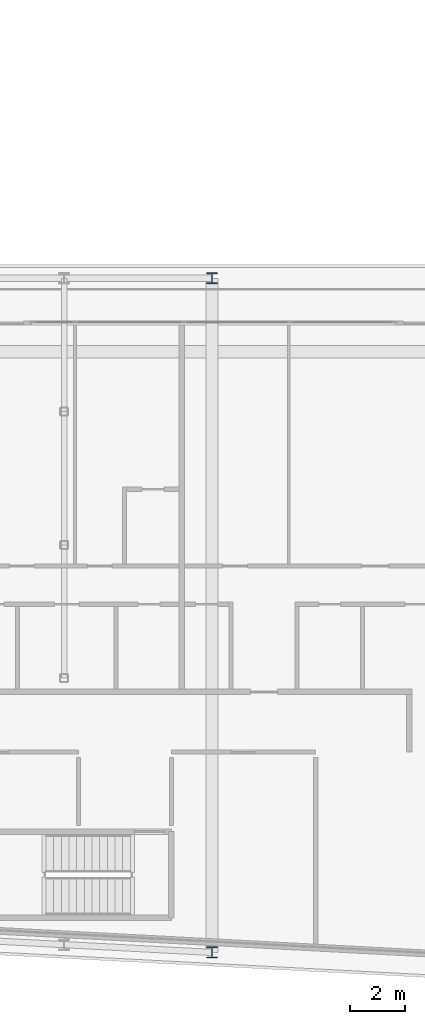
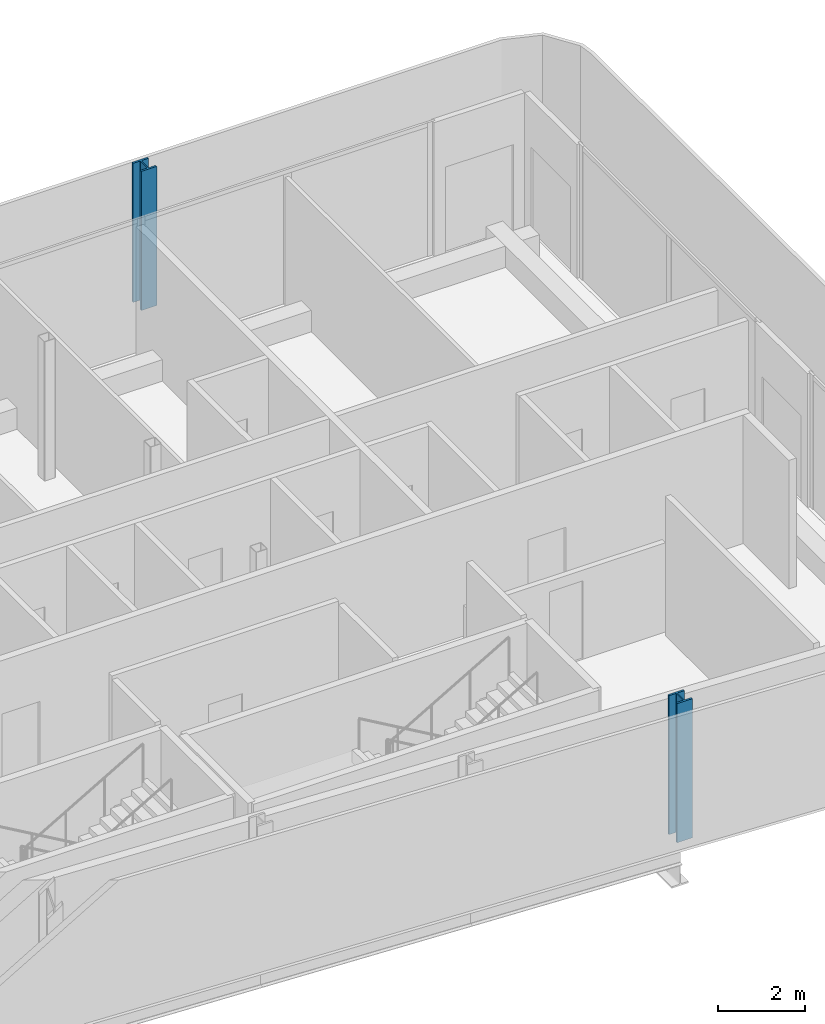
# One storey, part 4 of 29: 2 columns.
"""IFC4 building model written with IfcOpenShell, lengths in metres."""

from ifc_helpers import new_model, si_unit, direction, frame, origin, origin_2d, place, context, subcontext, project, spatial, i_section, extrude, material, material_profile, profile_set, type_object, element, save


model = new_model("IFC4")

# Units and contexts
model_context = context("Model", 3, precision=1e-05, world=origin(), true_north=direction((0.0, 1.0)))
body_context = subcontext(model_context, "Body", "Model", "MODEL_VIEW")
ifc_project = project(units=[si_unit("LENGTHUNIT", "METRE"), si_unit("AREAUNIT", "SQUARE_METRE"), si_unit("VOLUMEUNIT", "CUBIC_METRE"), si_unit("PLANEANGLEUNIT", "RADIAN"), si_unit("MASSUNIT", "GRAM", prefix="KILO")], contexts=[model_context])

# Site, building, storey
site_placement = place(None, origin())
site = spatial("IfcSite", under=ifc_project, at=site_placement, CompositionType="ELEMENT")
building_placement = place(site_placement, origin())
building = spatial("IfcBuilding", under=site, at=building_placement, Name="Kheshtan School and Residences Tower", CompositionType="ELEMENT")
storey_placement = place(building_placement, frame((0.0, 0.0, 176.0)))
storey = spatial("IfcBuildingStorey", under=building, at=storey_placement, Name="L41", CompositionType="ELEMENT", Elevation=176.0)

# Columns
ifc_material = material(Name="Steel ASTM A992 Grade 50", Category="steel")
ifc_material_profile = material_profile(ifc_material, i_section(OverallWidth=0.408935546875, OverallDepth=0.425048828125, WebThickness=0.03271484375, FlangeThickness=0.052490234375, FilletRadius=0.0126953125, at=origin_2d()), Name="W360x421")
ifc_profile_set = profile_set([ifc_material_profile], Name="Steel ASTM A992 Grade 50")
column_type = type_object("IfcColumnType", Name="Column C3 W360x421 ASTM A992 Grade 50", PredefinedType="COLUMN", material=ifc_profile_set)
for number, where, z_axis, x_axis, name in (
    (1, (90.800048828125, 20.989990234375, 0.0), (0.0, 0.0, 1.0), (1.0, 0.0, 0.0), "Column C006"),
    (2, (90.800048828125, 45.60009765625, 0.0), (0.0, 0.0, 1.0), (1.0, 0.0, 0.0), "Column C068"),
):
    element("IfcColumn", number, at=place(storey_placement, frame(where, z_axis=z_axis, x_axis=x_axis)), inside=storey, type_object=column_type, Name=name, PredefinedType="COLUMN", context=body_context, shape_type="SweptSolid", body=[
        extrude(i_section(OverallWidth=0.408935546875, OverallDepth=0.425048828125, WebThickness=0.03271484375, FlangeThickness=0.052490234375, FilletRadius=0.0126953125, at=origin_2d()), origin(), (0.0, 0.0, 1.0), 3.89990234375),
    ])

save(model, "model.ifc")
